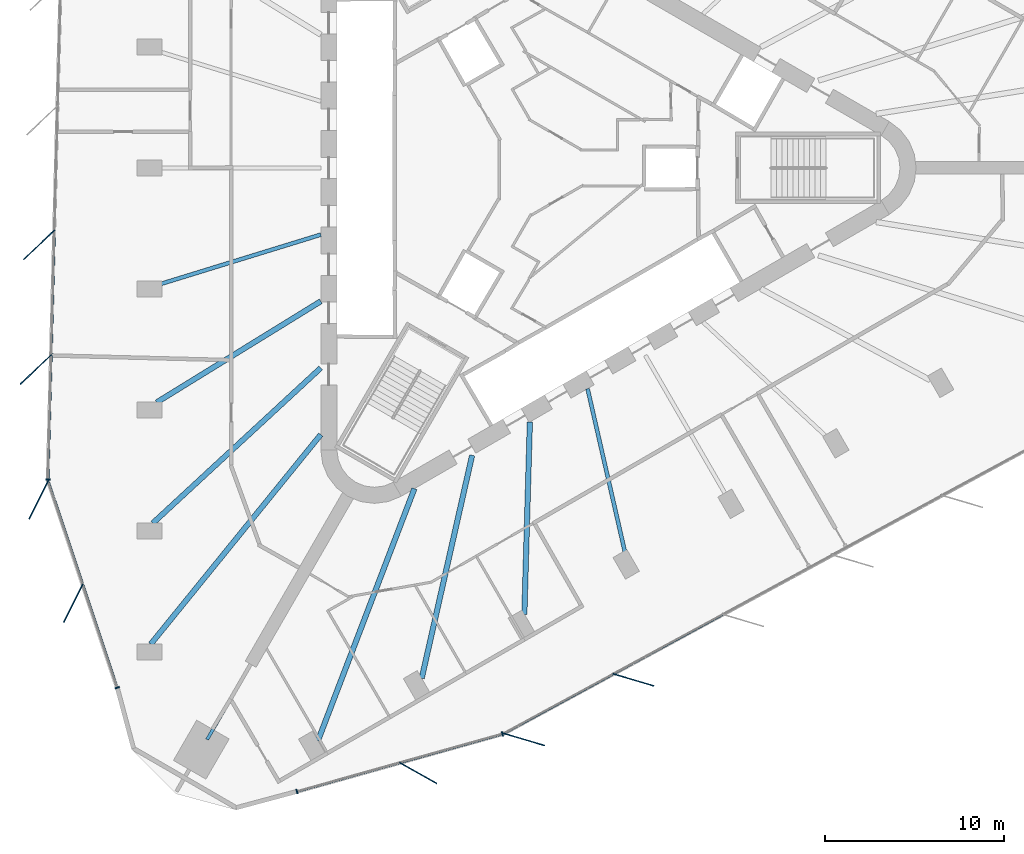
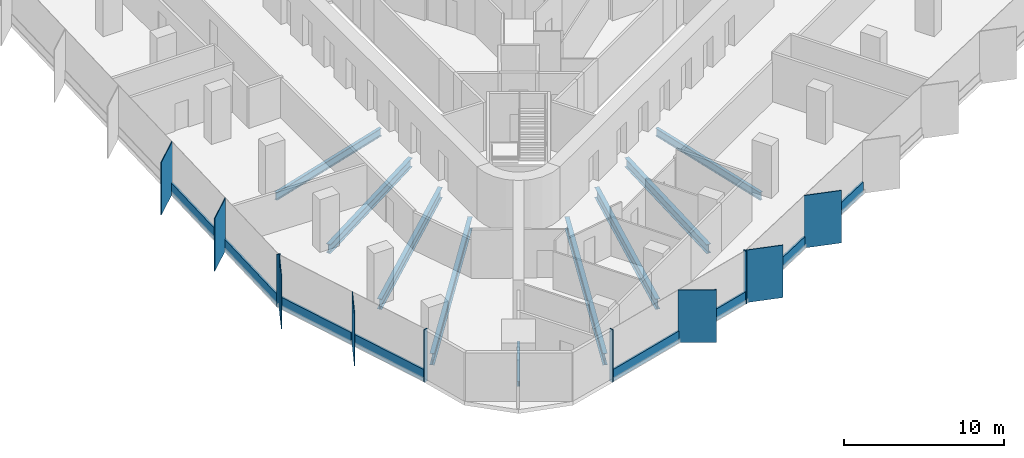
# One storey, part 2 of 14: 19 members, 9 beams, 4 elements without a shape of their own.
"""IFC4 building model written with IfcOpenShell, lengths in metres."""

from ifc_helpers import new_model, si_unit, direction, frame, origin, origin_2d, place, context, subcontext, project, spatial, rectangle, i_section, extrude, material, material_profile, profile_set, type_object, element, aggregate, save


model = new_model("IFC4")

# Units and contexts
model_context = context("Model", 3, precision=1e-05, world=origin(), true_north=direction((0.0, 1.0)))
body_context = subcontext(model_context, "Body", "Model", "MODEL_VIEW")
ifc_project = project(units=[si_unit("LENGTHUNIT", "METRE"), si_unit("AREAUNIT", "SQUARE_METRE"), si_unit("VOLUMEUNIT", "CUBIC_METRE"), si_unit("PLANEANGLEUNIT", "RADIAN"), si_unit("MASSUNIT", "GRAM", prefix="KILO")], contexts=[model_context])

# Site, building, storey
site_placement = place(None, origin())
site = spatial("IfcSite", under=ifc_project, at=site_placement, CompositionType="ELEMENT")
building_placement = place(site_placement, origin())
building = spatial("IfcBuilding", under=site, at=building_placement, Name="Tanit Gate Tower", CompositionType="ELEMENT")
storey_placement = place(building_placement, frame((0.0, 0.0, 241.199951171875)))
storey = spatial("IfcBuildingStorey", under=building, at=storey_placement, Name="L54", CompositionType="ELEMENT", Elevation=241.199951171875)

# Curtain wall, members
ifc_material_1 = material(Name="Aluminium bronze anodised and glass", Category="aluminium")
curtain_wall_type = type_object("IfcCurtainWallType", Name="Curtain wall typical mid", PredefinedType="NOTDEFINED", material=ifc_material_1)
curtain_wall_1_placement = place(storey_placement, origin())
curtain_wall_1 = element("IfcCurtainWall", 1, at=curtain_wall_1_placement, inside=storey, type_object=curtain_wall_type, Name="Curtain wall L54 W2", PredefinedType="NOTDEFINED")
ifc_material_2 = material(Name="Aluminium bronze anodised", Category="aluminium")
ifc_material_profile_1 = material_profile(ifc_material_2, rectangle(XDim=2.39990234375, YDim=0.055908203125, at=origin_2d()), Name="56x2400 bronze fin mullion")
ifc_profile_set_1 = profile_set([ifc_material_profile_1], Name="Aluminium bronze anodised")
member_type_1 = type_object("IfcMemberType", Name="FIN MULLION 56x2400 bronze", PredefinedType="MULLION", material=ifc_profile_set_1)
member_1_placement = place(storey_placement, frame((-27.85595703125, -4.296875, -0.300048828125), z_axis=(0.0, 0.0, 1.0), x_axis=(0.725200158595, 0.688538110764, 0.0)))
member_1 = element("IfcMember", 2, at=member_1_placement, type_object=member_type_1, Name="Fin mullion L54 W2.4", PredefinedType="MULLION", context=body_context, shape_type="SweptSolid", body=[
    extrude(rectangle(XDim=2.39990234375, YDim=0.055908203125, at=origin_2d()), origin(), (0.0, 0.0, 1.0), 4.0),
])
member_2_placement = place(storey_placement, frame((-28.036865234375, -11.2685546875, -0.300048828125), z_axis=(0.0, 0.0, 1.0), x_axis=(0.725200158595, 0.688538110764, 0.0)))
member_2 = element("IfcMember", 3, at=member_2_placement, type_object=member_type_1, Name="Fin mullion L54 W2.5", PredefinedType="MULLION", context=body_context, shape_type="SweptSolid", body=[
    extrude(rectangle(XDim=2.39990234375, YDim=0.055908203125, at=origin_2d()), origin(), (0.0, 0.0, 1.0), 4.0),
])

curtain_wall_2_placement = place(storey_placement, origin())
curtain_wall_2 = element("IfcCurtainWall", 4, at=curtain_wall_2_placement, inside=storey, type_object=curtain_wall_type, Name="Curtain wall L54 W3", PredefinedType="NOTDEFINED")
member_3_placement = place(storey_placement, frame((-27.8779296875, -18.561279296875, -0.300048828125), z_axis=(0.0, 0.0, 1.0), x_axis=(0.446864758438, 0.894601524516, 0.0)))
member_3 = element("IfcMember", 5, at=member_3_placement, type_object=member_type_1, Name="Fin mullion L54 W3.1", PredefinedType="MULLION", context=body_context, shape_type="SweptSolid", body=[
    extrude(rectangle(XDim=2.39990234375, YDim=0.055908203125, at=origin_2d()), origin(), (0.0, 0.0, 1.0), 4.0),
])
member_4_placement = place(storey_placement, frame((-25.94775390625, -24.34375, -0.300048828125), z_axis=(0.0, 0.0, 1.0), x_axis=(0.446864758438, 0.894601524516, 0.0)))
member_4 = element("IfcMember", 6, at=member_4_placement, type_object=member_type_1, Name="Fin mullion L54 W3.2", PredefinedType="MULLION", context=body_context, shape_type="SweptSolid", body=[
    extrude(rectangle(XDim=2.39990234375, YDim=0.055908203125, at=origin_2d()), origin(), (0.0, 0.0, 1.0), 4.0),
])

# Curtain wall, member
curtain_wall_3_placement = place(storey_placement, origin())
curtain_wall_3 = element("IfcCurtainWall", 7, at=curtain_wall_3_placement, inside=storey, type_object=curtain_wall_type, Name="Curtain wall L54 SE1", PredefinedType="NOTDEFINED")
member_5_placement = place(storey_placement, frame((-6.660400390625, -33.846435546875, -0.300048828125), z_axis=(0.0, 0.0, 1.0), x_axis=(-0.871576439722, 0.490259635012, 0.0)))
member_5 = element("IfcMember", 8, at=member_5_placement, type_object=member_type_1, Name="Fin mullion L54 SE1.2", PredefinedType="MULLION", context=body_context, shape_type="SweptSolid", body=[
    extrude(rectangle(XDim=2.39990234375, YDim=0.055908203125, at=origin_2d()), origin(), (0.0, 0.0, 1.0), 4.0),
])

# Curtain wall, members
curtain_wall_4_placement = place(storey_placement, origin())
curtain_wall_4 = element("IfcCurtainWall", 9, at=curtain_wall_4_placement, inside=storey, type_object=curtain_wall_type, Name="Curtain wall L54 SE2", PredefinedType="NOTDEFINED")
member_6_placement = place(storey_placement, frame((-0.735107421875, -31.96337890625, -0.300048828125), z_axis=(0.0, 0.0, 1.0), x_axis=(-0.958891574692, 0.28377270479, 0.0)))
member_6 = element("IfcMember", 10, at=member_6_placement, type_object=member_type_1, Name="Fin mullion L54 SE2.1", PredefinedType="MULLION", context=body_context, shape_type="SweptSolid", body=[
    extrude(rectangle(XDim=2.39990234375, YDim=0.055908203125, at=origin_2d()), origin(), (0.0, 0.0, 1.0), 4.0),
])
member_7_placement = place(storey_placement, frame((5.39306640625, -28.63427734375, -0.300048828125), z_axis=(0.0, 0.0, 1.0), x_axis=(-0.958891574692, 0.28377270479, 0.0)))
member_7 = element("IfcMember", 11, at=member_7_placement, type_object=member_type_1, Name="Fin mullion L54 SE2.2", PredefinedType="MULLION", context=body_context, shape_type="SweptSolid", body=[
    extrude(rectangle(XDim=2.39990234375, YDim=0.055908203125, at=origin_2d()), origin(), (0.0, 0.0, 1.0), 4.0),
])

# Member
ifc_material_3 = material(Name="Aluminium bronze anodised", Category="aluminium")
ifc_material_profile_2 = material_profile(ifc_material_3, rectangle(XDim=0.260009765625, YDim=0.080078125, at=origin_2d()), Name="80x260 bronze mullion")
ifc_profile_set_2 = profile_set([ifc_material_profile_2], Name="Aluminium bronze anodised")
member_type_2 = type_object("IfcMemberType", Name="Mullion 80x260 typical mid", PredefinedType="MULLION", material=ifc_profile_set_2)
member_8_placement = place(storey_placement, frame((-27.36279296875, -17.4287109375, -0.300048828125), z_axis=(0.0, 0.0, 1.0), x_axis=(0.999663917086, -0.025923982634, 0.0)))
member_8 = element("IfcMember", 12, at=member_8_placement, type_object=member_type_2, Name="Mullion L54 W2.6", PredefinedType="MULLION", context=body_context, shape_type="SweptSolid", body=[
    extrude(rectangle(XDim=0.260009765625, YDim=0.080078125, at=origin_2d()), origin(), (0.0, 0.0, 1.0), 4.0),
])

member_9_placement = place(storey_placement, frame((-23.490966796875, -29.072021484375, -0.300048828125), z_axis=(0.0, 0.0, 1.0), x_axis=(0.94855990541, 0.31659770348, 0.0)))
member_9 = element("IfcMember", 13, at=member_9_placement, type_object=member_type_2, Name="Mullion L54 W3.3", PredefinedType="MULLION", context=body_context, shape_type="SweptSolid", body=[
    extrude(rectangle(XDim=0.260009765625, YDim=0.080078125, at=origin_2d()), origin(), (0.0, 0.0, 1.0), 4.0),
])

member_10_placement = place(storey_placement, frame((-13.436279296875, -34.878173828125, -0.300048828125), z_axis=(0.0, 0.0, 1.0), x_axis=(-0.269631698391, 0.962963523309, 0.0)))
member_10 = element("IfcMember", 14, at=member_10_placement, type_object=member_type_2, Name="Mullion L54 SE1.1", PredefinedType="MULLION", context=body_context, shape_type="SweptSolid", body=[
    extrude(rectangle(XDim=0.260009765625, YDim=0.080078125, at=origin_2d()), origin(), (0.0, 0.0, 1.0), 4.0),
])

member_11_placement = place(storey_placement, frame((-1.939208984375, -31.658935546875, -0.300048828125), z_axis=(0.0, 0.0, 1.0), x_axis=(-0.269631698391, 0.962963523309, 0.0)))
member_11 = element("IfcMember", 15, at=member_11_placement, type_object=member_type_2, Name="Mullion L54 SE1.3", PredefinedType="MULLION", context=body_context, shape_type="SweptSolid", body=[
    extrude(rectangle(XDim=0.260009765625, YDim=0.080078125, at=origin_2d()), origin(), (0.0, 0.0, 1.0), 4.0),
])

# Beams
ifc_material_4 = material(Name="Steel S355", Category="steel")
ifc_material_profile_3 = material_profile(ifc_material_4, i_section(OverallWidth=0.300048828125, OverallDepth=0.68994140625, WebThickness=0.014404296875, FlangeThickness=0.027099609375, FilletRadius=0.027099609375, at=origin_2d()), Name="HEA 700")
ifc_profile_set_3 = profile_set([ifc_material_profile_3], Name="Steel S355")
beam_type_1 = type_object("IfcBeamType", Name="RADIAL GIRDER HEA 700 S355", PredefinedType="BEAM", material=ifc_profile_set_3)
for number, where, z_axis, x_axis, name in (
    (16, (-21.279296875, -13.110595703125, -0.64501953125), (0.851378241131, 0.524552276259, 0.0), (-0.524552276259, 0.851378241131, 0.0), "RADIAL GIRDER"),
    (17, (-0.714599609375, -24.983642578125, -0.64501953125), (0.028583051014, 0.999591421129, 0.0), (-0.999591421129, 0.028583051014, 0.0), "RADIAL GIRDER"),
):
    element("IfcBeam", number, at=place(storey_placement, frame(where, z_axis=z_axis, x_axis=x_axis)), inside=storey, type_object=beam_type_1, Name=name, PredefinedType="BEAM", context=body_context, shape_type="SweptSolid", body=[
        extrude(i_section(OverallWidth=0.300048828125, OverallDepth=0.68994140625, WebThickness=0.014404296875, FlangeThickness=0.027099609375, FilletRadius=0.027099609375, at=origin_2d()), origin(), (0.0, 0.0, 1.0), 10.779296875),
    ])
ifc_material_5 = material(Name="Steel S355", Category="steel")
ifc_material_profile_4 = material_profile(ifc_material_5, i_section(OverallWidth=0.300048828125, OverallDepth=0.7900390625, WebThickness=0.014892578125, FlangeThickness=0.028076171875, FilletRadius=0.030029296875, at=origin_2d()), Name="HEA 800")
ifc_profile_set_4 = profile_set([ifc_material_profile_4], Name="Steel S355")
beam_type_2 = type_object("IfcBeamType", Name="RADIAL GIRDER HEA 800 S355", PredefinedType="BEAM", material=ifc_profile_set_4)
for number, where, z_axis, x_axis, name in (
    (18, (-21.4921875, -19.86279296875, -0.695068359375), (0.734397761649, 0.678719329093, 0.0), (-0.678719329093, 0.734397761649, 0.0), "RADIAL GIRDER"),
    (19, (-6.45556640625, -28.544189453125, -0.695068359375), (0.220594325016, 0.975365646192, 0.0), (-0.975365646192, 0.220594325016, 0.0), "RADIAL GIRDER"),
):
    element("IfcBeam", number, at=place(storey_placement, frame(where, z_axis=z_axis, x_axis=x_axis)), inside=storey, type_object=beam_type_2, Name=name, PredefinedType="BEAM", context=body_context, shape_type="SweptSolid", body=[
        extrude(i_section(OverallWidth=0.300048828125, OverallDepth=0.7900390625, WebThickness=0.014892578125, FlangeThickness=0.028076171875, FilletRadius=0.030029296875, at=origin_2d()), origin(), (0.0, 0.0, 1.0), 12.7861328125),
    ])
ifc_material_6 = material(Name="Steel S355", Category="steel")
ifc_material_profile_5 = material_profile(ifc_material_6, i_section(OverallWidth=0.300048828125, OverallDepth=0.889892578125, WebThickness=0.01611328125, FlangeThickness=0.030029296875, FilletRadius=0.030029296875, at=origin_2d()), Name="HEA 900")
ifc_profile_set_5 = profile_set([ifc_material_profile_5], Name="Steel S355")
beam_type_3 = type_object("IfcBeamType", Name="RADIAL GIRDER HEA 900 S355", PredefinedType="BEAM", material=ifc_profile_set_5)
for number, where, z_axis, x_axis, name in (
    (20, (-21.614013671875, -26.6337890625, -0.744873046875), (0.630133417388, 0.776486880952, 0.0), (-0.776486880952, 0.630133417388, 0.0), "RADIAL GIRDER"),
    (21, (-12.2587890625, -32.03515625, -0.744873046875), (0.357400572527, 0.93395119292, 0.0), (-0.93395119292, 0.357400572527, 0.0), "RADIAL GIRDER"),
):
    element("IfcBeam", number, at=place(storey_placement, frame(where, z_axis=z_axis, x_axis=x_axis)), inside=storey, type_object=beam_type_3, Name=name, PredefinedType="BEAM", context=body_context, shape_type="SweptSolid", body=[
        extrude(i_section(OverallWidth=0.300048828125, OverallDepth=0.889892578125, WebThickness=0.01611328125, FlangeThickness=0.030029296875, FilletRadius=0.030029296875, at=origin_2d()), origin(), (0.0, 0.0, 1.0), 15.09521484375),
    ])
ifc_material_7 = material(Name="Steel S355", Category="steel")
ifc_material_profile_6 = material_profile(ifc_material_7, i_section(OverallWidth=0.179931640625, OverallDepth=0.39990234375, WebThickness=0.008544921875, FlangeThickness=0.013427734375, FilletRadius=0.02099609375, at=origin_2d()), Name="IPE 400")
ifc_profile_set_6 = profile_set([ifc_material_profile_6], Name="Steel S355")
beam_type_4 = type_object("IfcBeamType", Name="RADIAL GIRDER IPE 400 S355", PredefinedType="BEAM", material=ifc_profile_set_6)
beam_placement = place(storey_placement, frame((-18.459716796875, -31.973388671875, -0.5), z_axis=(0.499992938033, 0.866029480975, 0.0), x_axis=(-0.866029480975, 0.499992938033, 0.0)))
element("IfcBeam", 22, at=beam_placement, inside=storey, type_object=beam_type_4, Name="RADIAL GIRDER", PredefinedType="BEAM", context=body_context, shape_type="SweptSolid", body=[
    extrude(i_section(OverallWidth=0.179931640625, OverallDepth=0.39990234375, WebThickness=0.008544921875, FlangeThickness=0.013427734375, FilletRadius=0.02099609375, at=origin_2d()), origin(), (0.0, 0.0, 1.0), 4.4013671875),
])
ifc_material_8 = material(Name="Steel S355", Category="steel")
ifc_material_profile_7 = material_profile(ifc_material_8, i_section(OverallWidth=0.219970703125, OverallDepth=0.60009765625, WebThickness=0.011962890625, FlangeThickness=0.01904296875, FilletRadius=0.02392578125, at=origin_2d()), Name="IPE 600")
ifc_profile_set_7 = profile_set([ifc_material_profile_7], Name="Steel S355")
beam_type_5 = type_object("IfcBeamType", Name="RADIAL GIRDER IPE 600 S355", PredefinedType="BEAM", material=ifc_profile_set_7)
for number, where, z_axis, x_axis, name in (
    (23, (-21.279296875, -6.555419921875, -0.599853515625), (0.955680008009, 0.294407408692, 0.0), (-0.294407408692, 0.955680008009, 0.0), "RADIAL GIRDER"),
    (24, (4.962646484375, -21.7060546875, -0.599853515625), (-0.222889001119, 0.974843830149, 0.0), (-0.974843830149, -0.222889001119, 0.0), "RADIAL GIRDER"),
):
    element("IfcBeam", number, at=place(storey_placement, frame(where, z_axis=z_axis, x_axis=x_axis)), inside=storey, type_object=beam_type_5, Name=name, PredefinedType="BEAM", context=body_context, shape_type="SweptSolid", body=[
        extrude(i_section(OverallWidth=0.219970703125, OverallDepth=0.60009765625, WebThickness=0.011962890625, FlangeThickness=0.01904296875, FilletRadius=0.02392578125, at=origin_2d()), origin(), (0.0, 0.0, 1.0), 9.602783203125),
    ])

# Member
ifc_material_9 = material(Name="Aluminium bronze anodised", Category="aluminium")
ifc_material_profile_8 = material_profile(ifc_material_9, rectangle(XDim=0.139892578125, YDim=0.89990234375, at=origin_2d()), Name="140x900 bronze transom")
ifc_profile_set_8 = profile_set([ifc_material_profile_8], Name="Aluminium bronze anodised")
member_type_3 = type_object("IfcMemberType", Name="Transom 140x900 typical mid", PredefinedType="USERDEFINED", material=ifc_profile_set_8)
member_12_placement = place(storey_placement, frame((-27.002197265625, -3.525146484375, 0.150146484375), z_axis=(-0.025922066799, -0.999663966767, 0.0), x_axis=(0.999663966767, -0.025922066799, 0.0)))
member_12 = element("IfcMember", 25, at=member_12_placement, type_object=member_type_3, Name="Transom L54 W2.4", ObjectType="TRANSOM", PredefinedType="USERDEFINED", context=body_context, shape_type="SweptSolid", body=[
    extrude(rectangle(XDim=0.139892578125, YDim=0.89990234375, at=origin_2d()), origin(), (0.0, 0.0, 1.0), 6.89404296875),
])

member_13_placement = place(storey_placement, frame((-27.182861328125, -10.4970703125, 0.150146484375), z_axis=(-0.025922984492, -0.99966394297, 0.0), x_axis=(0.99966394297, -0.025922984492, 0.0)))
member_13 = element("IfcMember", 26, at=member_13_placement, type_object=member_type_3, Name="Transom L54 W2.5", ObjectType="TRANSOM", PredefinedType="USERDEFINED", context=body_context, shape_type="SweptSolid", body=[
    extrude(rectangle(XDim=0.139892578125, YDim=0.89990234375, at=origin_2d()), origin(), (0.0, 0.0, 1.0), 6.893798828125),
])

aggregate(curtain_wall_1, [member_1, member_2, member_8, member_12, member_13])

member_14_placement = place(storey_placement, frame((-27.33837890625, -17.544677734375, 0.150146484375), z_axis=(0.316617322318, -0.94855335707, 0.0), x_axis=(0.94855335707, 0.316617322318, 0.0)))
member_14 = element("IfcMember", 27, at=member_14_placement, type_object=member_type_3, Name="Transom L54 W3.1", ObjectType="TRANSOM", PredefinedType="USERDEFINED", context=body_context, shape_type="SweptSolid", body=[
    extrude(rectangle(XDim=0.139892578125, YDim=0.89990234375, at=origin_2d()), origin(), (0.0, 0.0, 1.0), 6.01611328125),
])

member_15_placement = place(storey_placement, frame((-25.408447265625, -23.3271484375, 0.150146484375), z_axis=(0.316605134965, -0.948557424995, 0.0), x_axis=(0.948557424995, 0.316605134965, 0.0)))
member_15 = element("IfcMember", 28, at=member_15_placement, type_object=member_type_3, Name="Transom L54 W3.2", ObjectType="TRANSOM", PredefinedType="USERDEFINED", context=body_context, shape_type="SweptSolid", body=[
    extrude(rectangle(XDim=0.139892578125, YDim=0.89990234375, at=origin_2d()), origin(), (0.0, 0.0, 1.0), 6.016357421875),
])

aggregate(curtain_wall_2, [member_3, member_4, member_9, member_14, member_15])

member_16_placement = place(storey_placement, frame((-13.39794921875, -34.8671875, 0.150146484375), z_axis=(0.962971338035, 0.269603787292, 0.0), x_axis=(-0.269603787292, 0.962971338035, 0.0)))
member_16 = element("IfcMember", 29, at=member_16_placement, type_object=member_type_3, Name="Transom L54 SE1.1", ObjectType="TRANSOM", PredefinedType="USERDEFINED", context=body_context, shape_type="SweptSolid", body=[
    extrude(rectangle(XDim=0.139892578125, YDim=0.89990234375, at=origin_2d()), origin(), (0.0, 0.0, 1.0), 5.8896484375),
])

member_17_placement = place(storey_placement, frame((-7.649169921875, -33.257568359375, 0.150146484375), z_axis=(0.962968324867, 0.269614549502, 0.0), x_axis=(-0.269614549502, 0.962968324867, 0.0)))
member_17 = element("IfcMember", 30, at=member_17_placement, type_object=member_type_3, Name="Transom L54 SE1.2", ObjectType="TRANSOM", PredefinedType="USERDEFINED", context=body_context, shape_type="SweptSolid", body=[
    extrude(rectangle(XDim=0.139892578125, YDim=0.89990234375, at=origin_2d()), origin(), (0.0, 0.0, 1.0), 5.889404296875),
])

aggregate(curtain_wall_3, [member_10, member_5, member_11, member_16, member_17])

member_18_placement = place(storey_placement, frame((-1.830322265625, -31.60986328125, 0.150146484375), z_axis=(0.878703630976, 0.47736770828, 0.0), x_axis=(-0.47736770828, 0.878703630976, 0.0)))
member_18 = element("IfcMember", 31, at=member_18_placement, type_object=member_type_3, Name="Transom L54 SE2.1", ObjectType="TRANSOM", PredefinedType="USERDEFINED", context=body_context, shape_type="SweptSolid", body=[
    extrude(rectangle(XDim=0.139892578125, YDim=0.89990234375, at=origin_2d()), origin(), (0.0, 0.0, 1.0), 6.89404296875),
])

member_19_placement = place(storey_placement, frame((4.2978515625, -28.280517578125, 0.150146484375), z_axis=(0.878703630976, 0.47736770828, 0.0), x_axis=(-0.47736770828, 0.878703630976, 0.0)))
member_19 = element("IfcMember", 32, at=member_19_placement, type_object=member_type_3, Name="Transom L54 SE2.2", ObjectType="TRANSOM", PredefinedType="USERDEFINED", context=body_context, shape_type="SweptSolid", body=[
    extrude(rectangle(XDim=0.139892578125, YDim=0.89990234375, at=origin_2d()), origin(), (0.0, 0.0, 1.0), 6.89404296875),
])

aggregate(curtain_wall_4, [member_6, member_7, member_18, member_19])

save(model, "model.ifc")
